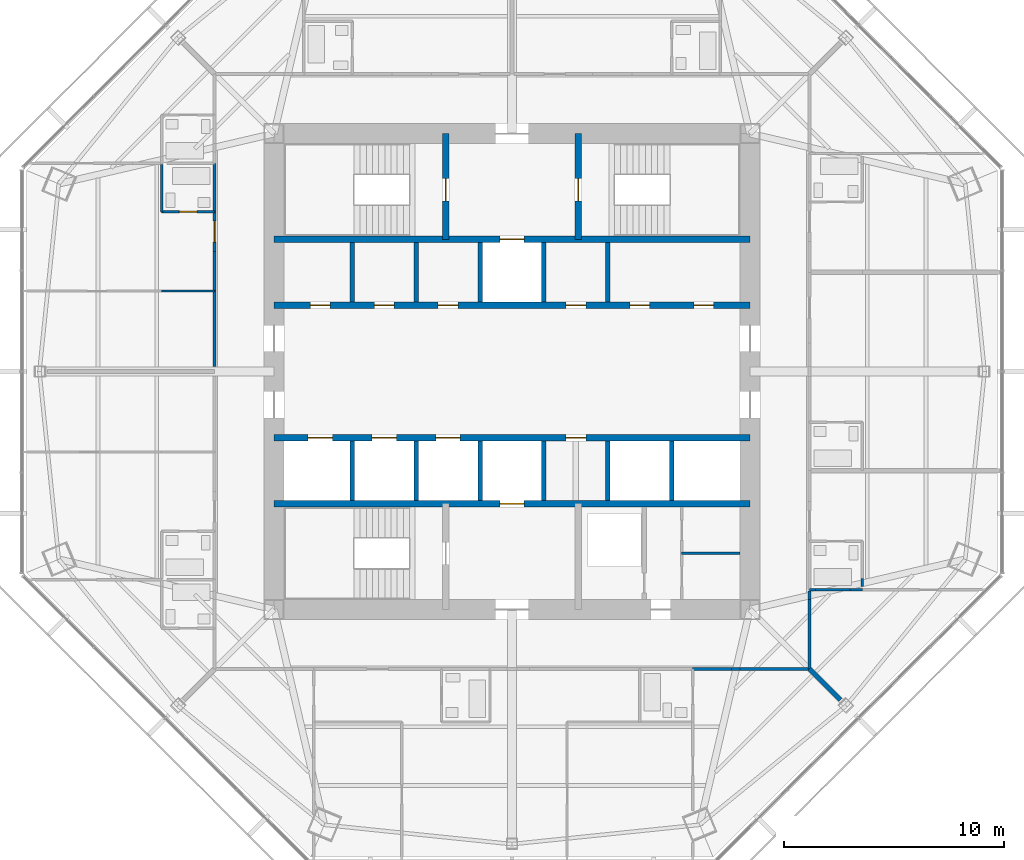
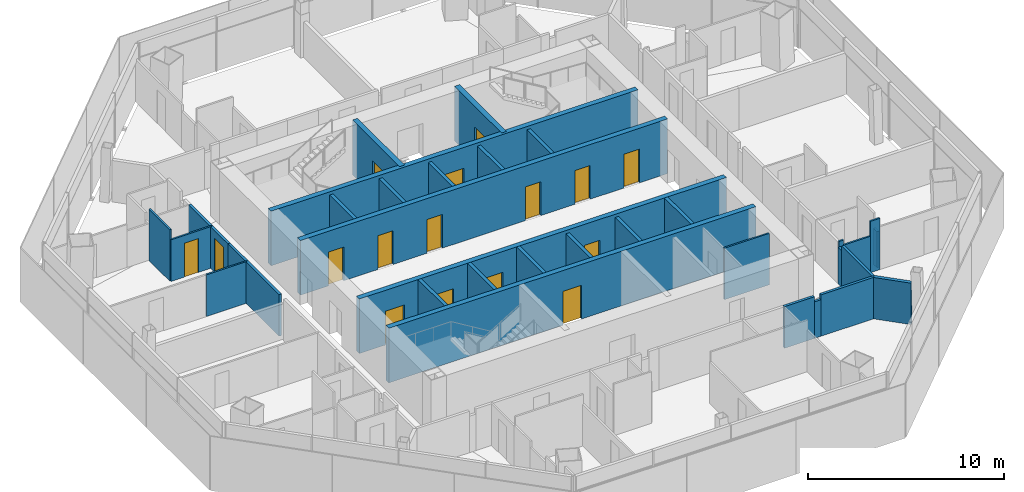
# One storey, part 10 of 15: 35 walls, 16 doors, 16 openings.
"""IFC4 building model written with IfcOpenShell, lengths in metres."""

from ifc_helpers import new_model, si_unit, direction, frame, frame_2d, origin, place, context, subcontext, project, spatial, rectangle, extrude, material, layer, layer_set, type_object, element, fill, save


model = new_model("IFC4")

# Units and contexts
model_context = context("Model", 3, precision=1e-05, world=origin(), true_north=direction((0.0, 1.0)))
body_context = subcontext(model_context, "Body", "Model", "MODEL_VIEW")
ifc_project = project(units=[si_unit("LENGTHUNIT", "METRE"), si_unit("AREAUNIT", "SQUARE_METRE"), si_unit("VOLUMEUNIT", "CUBIC_METRE"), si_unit("PLANEANGLEUNIT", "RADIAN"), si_unit("MASSUNIT", "GRAM", prefix="KILO")], contexts=[model_context])

# Site, building, storey
site_placement = place(None, origin())
site = spatial("IfcSite", under=ifc_project, at=site_placement, CompositionType="ELEMENT")
building_placement = place(site_placement, origin())
building = spatial("IfcBuilding", under=site, at=building_placement, Name="Mashrafa Tower", CompositionType="ELEMENT")
storey_placement = place(building_placement, frame((0.0, 0.0, 204.0)))
storey = spatial("IfcBuildingStorey", under=building, at=storey_placement, Name="L46", CompositionType="ELEMENT", Elevation=204.0)

# Wall
ifc_material_1 = material(Name="Gypsum board on steel studs", Category="steel")
ifc_layer_1 = layer(ifc_material_1, 0.199951171875)
ifc_layer_set_1 = layer_set([ifc_layer_1], Name="Acoustic partition 200 1 hr")
wall_type_1 = type_object("IfcWallType", Name="Acoustic partition 200 1 hr", PredefinedType="PARTITIONING", material=ifc_layer_set_1)
wall_1_placement = place(storey_placement, frame((13.5, -13.5, 0.0), z_axis=(0.0, 0.0, 1.0), x_axis=(0.707106781187, -0.707106781187, 0.0)))
element("IfcWall", 1, at=wall_1_placement, inside=storey, type_object=wall_type_1, Name="Acoustic wall L46-064", PredefinedType="PARTITIONING", context=body_context, shape_type="SweptSolid", body=[
    extrude(rectangle(XDim=1.986572265625, YDim=0.199951171875, at=frame_2d((0.9931640625, 0.0))), origin(), (0.0, 0.0, 1.0), 2.577880859375),
])

# Wall, openings, doors
ifc_material_2 = material(Name="Concrete C50/60", Category="concrete")
ifc_layer_2 = layer(ifc_material_2, 0.300048828125)
ifc_layer_set_2 = layer_set([ifc_layer_2], Name="Core wall 300 C50/60")
wall_type_2 = type_object("IfcWallType", Name="Core wall 300 C50/60", PredefinedType="SOLIDWALL", material=ifc_layer_set_2)
wall_2_placement = place(storey_placement, frame((-10.800048828125, 3.0, 0.0), z_axis=(0.0, 0.0, 1.0), x_axis=(1.0, 0.0, 0.0)))
wall_2 = element("IfcWall", 2, at=wall_2_placement, inside=storey, type_object=wall_type_2, Name="Core wall CH-N L46", PredefinedType="SOLIDWALL", context=body_context, shape_type="SweptSolid", body=[
    extrude(rectangle(XDim=21.60009765625, YDim=0.300048828125, at=frame_2d((10.800048828125, 0.0))), origin(), (0.0, 0.0, 1.0), 3.39990234375),
])
opening_1_placement = place(wall_2_placement, frame((1.64990234375, 0.0, 0.0)))
opening_1 = element("IfcOpeningElement", 3, at=opening_1_placement, cuts=wall_2, Name="Opening 46.045", PredefinedType="OPENING", context=body_context, shape_type="SweptSolid", body=[
    extrude(rectangle(XDim=0.89990234375, YDim=2.10009765625, at=frame_2d((0.449951171875, 1.050048828125))), frame((0.0, 0.159912109375, 0.0), z_axis=(0.0, -1.0, 0.0), x_axis=(1.0, 0.0, 0.0)), (0.0, 0.0, 1.0), 0.320068359375),
])
opening_2_placement = place(wall_2_placement, frame((7.449951171875, 0.0, 0.0)))
opening_2 = element("IfcOpeningElement", 4, at=opening_2_placement, cuts=wall_2, Name="Opening 46.046", PredefinedType="OPENING", context=body_context, shape_type="SweptSolid", body=[
    extrude(rectangle(XDim=0.89990234375, YDim=2.10009765625, at=frame_2d((0.449951171875, 1.050048828125))), frame((0.0, 0.159912109375, 0.0), z_axis=(0.0, -1.0, 0.0), x_axis=(1.0, 0.0, 0.0)), (0.0, 0.0, 1.0), 0.320068359375),
])
opening_3_placement = place(wall_2_placement, frame((13.25, 0.0, 0.0)))
opening_3 = element("IfcOpeningElement", 5, at=opening_3_placement, cuts=wall_2, Name="Opening 46.047", PredefinedType="OPENING", context=body_context, shape_type="SweptSolid", body=[
    extrude(rectangle(XDim=0.89990234375, YDim=2.10009765625, at=frame_2d((0.449951171875, 1.050048828125))), frame((0.0, 0.159912109375, 0.0), z_axis=(0.0, -1.0, 0.0), x_axis=(1.0, 0.0, 0.0)), (0.0, 0.0, 1.0), 0.320068359375),
])
opening_4_placement = place(wall_2_placement, frame((16.14990234375, 0.0, 0.0)))
opening_4 = element("IfcOpeningElement", 6, at=opening_4_placement, cuts=wall_2, Name="Opening 46.048", PredefinedType="OPENING", context=body_context, shape_type="SweptSolid", body=[
    extrude(rectangle(XDim=0.89990234375, YDim=2.10009765625, at=frame_2d((0.449951171875, 1.050048828125))), frame((0.0, 0.159912109375, 0.0), z_axis=(0.0, -1.0, 0.0), x_axis=(1.0, 0.0, 0.0)), (0.0, 0.0, 1.0), 0.320068359375),
])
opening_5_placement = place(wall_2_placement, frame((19.050048828125, 0.0, 0.0)))
opening_5 = element("IfcOpeningElement", 7, at=opening_5_placement, cuts=wall_2, Name="Opening 46.049", PredefinedType="OPENING", context=body_context, shape_type="SweptSolid", body=[
    extrude(rectangle(XDim=0.89990234375, YDim=2.10009765625, at=frame_2d((0.449951171875, 1.050048828125))), frame((0.0, 0.159912109375, 0.0), z_axis=(0.0, -1.0, 0.0), x_axis=(1.0, 0.0, 0.0)), (0.0, 0.0, 1.0), 0.320068359375),
])
opening_6_placement = place(wall_2_placement, frame((4.550048828125, 0.0, 0.0)))
opening_6 = element("IfcOpeningElement", 8, at=opening_6_placement, cuts=wall_2, Name="Opening 46.050", PredefinedType="OPENING", context=body_context, shape_type="SweptSolid", body=[
    extrude(rectangle(XDim=0.89990234375, YDim=2.10009765625, at=frame_2d((0.449951171875, 1.050048828125))), frame((0.0, 0.159912109375, 0.0), z_axis=(0.0, -1.0, 0.0), x_axis=(1.0, 0.0, 0.0)), (0.0, 0.0, 1.0), 0.320068359375),
])
ifc_material_3 = material(Name="Timber door", Category="wood")
door_type_1 = type_object("IfcDoorType", Name="Store door 900 x 2100", OperationType="USERDEFINED", PredefinedType="DOOR", material=ifc_material_3)
door_1_placement = place(opening_1_placement, origin())
door_1 = element("IfcDoor", 9, at=door_1_placement, inside=storey, type_object=door_type_1, Name="Refuse Chute Room L46 door", OperationType="SINGLE_SWING_RIGHT", OverallHeight=2.10009765625, OverallWidth=0.89990234375, PredefinedType="DOOR", context=body_context, shape_type="SweptSolid", body=[
    extrude(rectangle(XDim=0.89990234375, YDim=2.10009765625, at=frame_2d((0.449951171875, 1.050048828125))), frame((0.0, 0.02490234375, 0.0), z_axis=(0.0, -1.0, 0.0), x_axis=(1.0, 0.0, 0.0)), (0.0, 0.0, 1.0), 0.050048828125),
])
fill(opening_1, door_1)
door_2_placement = place(opening_2_placement, origin())
door_2 = element("IfcDoor", 10, at=door_2_placement, inside=storey, type_object=door_type_1, Name="Vending and Ice Room L46 door", OperationType="SINGLE_SWING_LEFT", OverallHeight=2.10009765625, OverallWidth=0.89990234375, PredefinedType="DOOR", context=body_context, shape_type="SweptSolid", body=[
    extrude(rectangle(XDim=0.89990234375, YDim=2.10009765625, at=frame_2d((0.449951171875, 1.050048828125))), frame((0.0, 0.02490234375, 0.0), z_axis=(0.0, -1.0, 0.0), x_axis=(1.0, 0.0, 0.0)), (0.0, 0.0, 1.0), 0.050048828125),
])
fill(opening_2, door_2)
door_3_placement = place(opening_3_placement, origin())
door_3 = element("IfcDoor", 11, at=door_3_placement, inside=storey, type_object=door_type_1, Name="Cleaner's Store L46 door", OperationType="SINGLE_SWING_LEFT", OverallHeight=2.10009765625, OverallWidth=0.89990234375, PredefinedType="DOOR", context=body_context, shape_type="SweptSolid", body=[
    extrude(rectangle(XDim=0.89990234375, YDim=2.10009765625, at=frame_2d((0.449951171875, 1.050048828125))), frame((0.0, 0.02490234375, 0.0), z_axis=(0.0, -1.0, 0.0), x_axis=(1.0, 0.0, 0.0)), (0.0, 0.0, 1.0), 0.050048828125),
])
fill(opening_3, door_3)
door_4_placement = place(opening_4_placement, origin())
door_4 = element("IfcDoor", 12, at=door_4_placement, inside=storey, type_object=door_type_1, Name="Parcel Room L46 door", OperationType="SINGLE_SWING_LEFT", OverallHeight=2.10009765625, OverallWidth=0.89990234375, PredefinedType="DOOR", context=body_context, shape_type="SweptSolid", body=[
    extrude(rectangle(XDim=0.89990234375, YDim=2.10009765625, at=frame_2d((0.449951171875, 1.050048828125))), frame((0.0, 0.02490234375, 0.0), z_axis=(0.0, -1.0, 0.0), x_axis=(1.0, 0.0, 0.0)), (0.0, 0.0, 1.0), 0.050048828125),
])
fill(opening_4, door_4)
door_5_placement = place(opening_5_placement, origin())
door_5 = element("IfcDoor", 13, at=door_5_placement, inside=storey, type_object=door_type_1, Name="Parcel Room L46 door", OperationType="SINGLE_SWING_RIGHT", OverallHeight=2.10009765625, OverallWidth=0.89990234375, PredefinedType="DOOR", context=body_context, shape_type="SweptSolid", body=[
    extrude(rectangle(XDim=0.89990234375, YDim=2.10009765625, at=frame_2d((0.449951171875, 1.050048828125))), frame((0.0, 0.02490234375, 0.0), z_axis=(0.0, -1.0, 0.0), x_axis=(1.0, 0.0, 0.0)), (0.0, 0.0, 1.0), 0.050048828125),
])
fill(opening_5, door_5)
door_6_placement = place(opening_6_placement, origin())
door_6 = element("IfcDoor", 14, at=door_6_placement, inside=storey, type_object=door_type_1, Name="Residents' Store L46-A2 door", OperationType="SINGLE_SWING_LEFT", OverallHeight=2.10009765625, OverallWidth=0.89990234375, PredefinedType="DOOR", context=body_context, shape_type="SweptSolid", body=[
    extrude(rectangle(XDim=0.89990234375, YDim=2.10009765625, at=frame_2d((0.449951171875, 1.050048828125))), frame((0.0, 0.02490234375, 0.0), z_axis=(0.0, -1.0, 0.0), x_axis=(1.0, 0.0, 0.0)), (0.0, 0.0, 1.0), 0.050048828125),
])
fill(opening_6, door_6)

# Wall, opening, door
wall_3_placement = place(storey_placement, frame((-10.800048828125, 6.0, 0.0), z_axis=(0.0, 0.0, 1.0), x_axis=(1.0, 0.0, 0.0)))
wall_3 = element("IfcWall", 15, at=wall_3_placement, inside=storey, type_object=wall_type_2, Name="Core wall CB-N L46", PredefinedType="SOLIDWALL", context=body_context, shape_type="SweptSolid", body=[
    extrude(rectangle(XDim=21.60009765625, YDim=0.300048828125, at=frame_2d((10.800048828125, 0.0))), origin(), (0.0, 0.0, 1.0), 3.39990234375),
])
opening_7_placement = place(wall_3_placement, frame((10.25, 0.0, 0.0)))
opening_7 = element("IfcOpeningElement", 16, at=opening_7_placement, cuts=wall_3, Name="Opening 46.F1", PredefinedType="OPENING", context=body_context, shape_type="SweptSolid", body=[
    extrude(rectangle(XDim=1.10009765625, YDim=2.10009765625, at=frame_2d((0.550048828125, 1.050048828125))), frame((0.0, 0.159912109375, 0.0), z_axis=(0.0, -1.0, 0.0), x_axis=(1.0, 0.0, 0.0)), (0.0, 0.0, 1.0), 0.320068359375),
])
ifc_material_4 = material(Name="Steel door", Category="steel")
door_type_2 = type_object("IfcDoorType", Name="Lift landing door 1100 x 2100 90 min", OperationType="DOUBLE_DOOR_SLIDING", PredefinedType="DOOR", material=ifc_material_4)
door_7_placement = place(opening_7_placement, origin())
door_7 = element("IfcDoor", 17, at=door_7_placement, inside=storey, type_object=door_type_2, Name="Lift landing door F1 L46", OperationType="DOUBLE_DOOR_SLIDING", OverallHeight=2.10009765625, OverallWidth=1.10009765625, PredefinedType="DOOR", context=body_context, shape_type="SweptSolid", body=[
    extrude(rectangle(XDim=1.10009765625, YDim=2.10009765625, at=frame_2d((0.550048828125, 1.050048828125))), frame((0.0, 0.02490234375, 0.0), z_axis=(0.0, -1.0, 0.0), x_axis=(1.0, 0.0, 0.0)), (0.0, 0.0, 1.0), 0.050048828125),
])
fill(opening_7, door_7)

wall_4_placement = place(storey_placement, frame((-3.0, 6.0, 0.0), z_axis=(0.0, 0.0, 1.0), x_axis=(0.0, 1.0, 0.0)))
wall_4 = element("IfcWall", 18, at=wall_4_placement, inside=storey, type_object=wall_type_2, Name="Core wall CX-NW L46", PredefinedType="SOLIDWALL", context=body_context, shape_type="SweptSolid", body=[
    extrude(rectangle(XDim=4.800048828125, YDim=0.300048828125, at=frame_2d((2.39990234375, 0.0))), origin(), (0.0, 0.0, 1.0), 3.39990234375),
])
opening_8_placement = place(wall_4_placement, frame((1.75, 0.0, 0.0)))
opening_8 = element("IfcOpeningElement", 19, at=opening_8_placement, cuts=wall_4, Name="Opening 46.038", PredefinedType="OPENING", context=body_context, shape_type="SweptSolid", body=[
    extrude(rectangle(XDim=1.0, YDim=2.10009765625, at=frame_2d((0.5, 1.050048828125))), frame((0.0, 0.159912109375, 0.0), z_axis=(0.0, -1.0, 0.0), x_axis=(1.0, 0.0, 0.0)), (0.0, 0.0, 1.0), 0.320068359375),
])
ifc_material_5 = material(Name="Steel door", Category="steel")
door_type_3 = type_object("IfcDoorType", Name="Stair door 1000 x 2100 90 min", OperationType="USERDEFINED", PredefinedType="DOOR", material=ifc_material_5)
door_8_placement = place(opening_8_placement, origin())
door_8 = element("IfcDoor", 20, at=door_8_placement, inside=storey, type_object=door_type_3, Name="Stair S1 door L46", OperationType="SINGLE_SWING_LEFT", OverallHeight=2.10009765625, OverallWidth=1.0, PredefinedType="DOOR", context=body_context, shape_type="SweptSolid", body=[
    extrude(rectangle(XDim=1.0, YDim=2.10009765625, at=frame_2d((0.5, 1.050048828125))), frame((0.0, 0.02490234375, 0.0), z_axis=(0.0, -1.0, 0.0), x_axis=(1.0, 0.0, 0.0)), (0.0, 0.0, 1.0), 0.050048828125),
])
fill(opening_8, door_8)

wall_5_placement = place(storey_placement, frame((3.0, 6.0, 0.0), z_axis=(0.0, 0.0, 1.0), x_axis=(0.0, 1.0, 0.0)))
wall_5 = element("IfcWall", 21, at=wall_5_placement, inside=storey, type_object=wall_type_2, Name="Core wall CX-NE L46", PredefinedType="SOLIDWALL", context=body_context, shape_type="SweptSolid", body=[
    extrude(rectangle(XDim=4.800048828125, YDim=0.300048828125, at=frame_2d((2.39990234375, 0.0))), origin(), (0.0, 0.0, 1.0), 3.39990234375),
])
opening_9_placement = place(wall_5_placement, frame((1.75, 0.0, 0.0)))
opening_9 = element("IfcOpeningElement", 22, at=opening_9_placement, cuts=wall_5, Name="Opening 46.039", PredefinedType="OPENING", context=body_context, shape_type="SweptSolid", body=[
    extrude(rectangle(XDim=1.0, YDim=2.10009765625, at=frame_2d((0.5, 1.050048828125))), frame((0.0, 0.159912109375, 0.0), z_axis=(0.0, -1.0, 0.0), x_axis=(1.0, 0.0, 0.0)), (0.0, 0.0, 1.0), 0.320068359375),
])
door_9_placement = place(opening_9_placement, frame((1.0, 0.0, 0.0), z_axis=(0.0, 0.0, 1.0), x_axis=(-1.0, 0.0, 0.0)))
door_9 = element("IfcDoor", 23, at=door_9_placement, inside=storey, type_object=door_type_3, Name="Stair S2 door L46", OperationType="SINGLE_SWING_RIGHT", OverallHeight=2.10009765625, OverallWidth=1.0, PredefinedType="DOOR", context=body_context, shape_type="SweptSolid", body=[
    extrude(rectangle(XDim=1.0, YDim=2.10009765625, at=frame_2d((0.5, 1.050048828125))), frame((0.0, 0.02490234375, 0.0), z_axis=(0.0, -1.0, 0.0), x_axis=(1.0, 0.0, 0.0)), (0.0, 0.0, 1.0), 0.050048828125),
])
fill(opening_9, door_9)

# Wall, openings, doors
wall_6_placement = place(storey_placement, frame((-10.800048828125, -3.0, 0.0), z_axis=(0.0, 0.0, 1.0), x_axis=(1.0, 0.0, 0.0)))
wall_6 = element("IfcWall", 24, at=wall_6_placement, inside=storey, type_object=wall_type_2, Name="Core wall CH-S L46", PredefinedType="SOLIDWALL", context=body_context, shape_type="SweptSolid", body=[
    extrude(rectangle(XDim=21.60009765625, YDim=0.300048828125, at=frame_2d((10.800048828125, 0.0))), origin(), (0.0, 0.0, 1.0), 3.39990234375),
])
opening_10_placement = place(wall_6_placement, frame((13.25, 0.0, 0.0)))
opening_10 = element("IfcOpeningElement", 25, at=opening_10_placement, cuts=wall_6, Name="Opening 46.051", PredefinedType="OPENING", context=body_context, shape_type="SweptSolid", body=[
    extrude(rectangle(XDim=0.89990234375, YDim=2.10009765625, at=frame_2d((0.449951171875, 1.050048828125))), frame((0.0, 0.159912109375, 0.0), z_axis=(0.0, -1.0, 0.0), x_axis=(1.0, 0.0, 0.0)), (0.0, 0.0, 1.0), 0.320068359375),
])
opening_11_placement = place(wall_6_placement, frame((1.550048828125, 0.0, 0.0)))
opening_11 = element("IfcOpeningElement", 26, at=opening_11_placement, cuts=wall_6, Name="Opening 46.AL1", PredefinedType="OPENING", context=body_context, shape_type="SweptSolid", body=[
    extrude(rectangle(XDim=1.10009765625, YDim=2.10009765625, at=frame_2d((0.550048828125, 1.050048828125))), frame((0.0, 0.159912109375, 0.0), z_axis=(0.0, -1.0, 0.0), x_axis=(1.0, 0.0, 0.0)), (0.0, 0.0, 1.0), 0.320068359375),
])
opening_12_placement = place(wall_6_placement, frame((4.449951171875, 0.0, 0.0)))
opening_12 = element("IfcOpeningElement", 27, at=opening_12_placement, cuts=wall_6, Name="Opening 46.AL2", PredefinedType="OPENING", context=body_context, shape_type="SweptSolid", body=[
    extrude(rectangle(XDim=1.10009765625, YDim=2.10009765625, at=frame_2d((0.550048828125, 1.050048828125))), frame((0.0, 0.159912109375, 0.0), z_axis=(0.0, -1.0, 0.0), x_axis=(1.0, 0.0, 0.0)), (0.0, 0.0, 1.0), 0.320068359375),
])
opening_13_placement = place(wall_6_placement, frame((7.35009765625, 0.0, 0.0)))
opening_13 = element("IfcOpeningElement", 28, at=opening_13_placement, cuts=wall_6, Name="Opening 46.AL3", PredefinedType="OPENING", context=body_context, shape_type="SweptSolid", body=[
    extrude(rectangle(XDim=1.10009765625, YDim=2.10009765625, at=frame_2d((0.550048828125, 1.050048828125))), frame((0.0, 0.159912109375, 0.0), z_axis=(0.0, -1.0, 0.0), x_axis=(1.0, 0.0, 0.0)), (0.0, 0.0, 1.0), 0.320068359375),
])
door_10_placement = place(opening_11_placement, origin())
door_10 = element("IfcDoor", 29, at=door_10_placement, inside=storey, type_object=door_type_2, Name="Lift landing door AL1 L46", OperationType="DOUBLE_DOOR_SLIDING", OverallHeight=2.10009765625, OverallWidth=1.10009765625, PredefinedType="DOOR", context=body_context, shape_type="SweptSolid", body=[
    extrude(rectangle(XDim=1.10009765625, YDim=2.10009765625, at=frame_2d((0.550048828125, 1.050048828125))), frame((0.0, 0.02490234375, 0.0), z_axis=(0.0, -1.0, 0.0), x_axis=(1.0, 0.0, 0.0)), (0.0, 0.0, 1.0), 0.050048828125),
])
fill(opening_11, door_10)
door_11_placement = place(opening_12_placement, origin())
door_11 = element("IfcDoor", 30, at=door_11_placement, inside=storey, type_object=door_type_2, Name="Lift landing door AL2 L46", OperationType="DOUBLE_DOOR_SLIDING", OverallHeight=2.10009765625, OverallWidth=1.10009765625, PredefinedType="DOOR", context=body_context, shape_type="SweptSolid", body=[
    extrude(rectangle(XDim=1.10009765625, YDim=2.10009765625, at=frame_2d((0.550048828125, 1.050048828125))), frame((0.0, 0.02490234375, 0.0), z_axis=(0.0, -1.0, 0.0), x_axis=(1.0, 0.0, 0.0)), (0.0, 0.0, 1.0), 0.050048828125),
])
fill(opening_12, door_11)
door_12_placement = place(opening_13_placement, origin())
door_12 = element("IfcDoor", 31, at=door_12_placement, inside=storey, type_object=door_type_2, Name="Lift landing door AL3 L46", OperationType="DOUBLE_DOOR_SLIDING", OverallHeight=2.10009765625, OverallWidth=1.10009765625, PredefinedType="DOOR", context=body_context, shape_type="SweptSolid", body=[
    extrude(rectangle(XDim=1.10009765625, YDim=2.10009765625, at=frame_2d((0.550048828125, 1.050048828125))), frame((0.0, 0.02490234375, 0.0), z_axis=(0.0, -1.0, 0.0), x_axis=(1.0, 0.0, 0.0)), (0.0, 0.0, 1.0), 0.050048828125),
])
fill(opening_13, door_12)
door_13_placement = place(opening_10_placement, frame((0.89990234375, 0.0, 0.0), z_axis=(0.0, 0.0, 1.0), x_axis=(-1.0, 0.0, 0.0)))
door_13 = element("IfcDoor", 32, at=door_13_placement, inside=storey, type_object=door_type_1, Name="Residents' Store L46-B4 door", OperationType="SINGLE_SWING_RIGHT", OverallHeight=2.10009765625, OverallWidth=0.89990234375, PredefinedType="DOOR", context=body_context, shape_type="SweptSolid", body=[
    extrude(rectangle(XDim=0.89990234375, YDim=2.10009765625, at=frame_2d((0.449951171875, 1.050048828125))), frame((0.0, 0.02490234375, 0.0), z_axis=(0.0, -1.0, 0.0), x_axis=(1.0, 0.0, 0.0)), (0.0, 0.0, 1.0), 0.050048828125),
])
fill(opening_10, door_13)

# Wall, opening, door
wall_7_placement = place(storey_placement, frame((-10.800048828125, -6.0, 0.0), z_axis=(0.0, 0.0, 1.0), x_axis=(1.0, 0.0, 0.0)))
wall_7 = element("IfcWall", 33, at=wall_7_placement, inside=storey, type_object=wall_type_2, Name="Core wall CB-S L46", PredefinedType="SOLIDWALL", context=body_context, shape_type="SweptSolid", body=[
    extrude(rectangle(XDim=21.60009765625, YDim=0.300048828125, at=frame_2d((10.800048828125, 0.0))), origin(), (0.0, 0.0, 1.0), 3.39990234375),
])
opening_14_placement = place(wall_7_placement, frame((10.25, 0.0, 0.0)))
opening_14 = element("IfcOpeningElement", 34, at=opening_14_placement, cuts=wall_7, Name="Opening 46.F2", PredefinedType="OPENING", context=body_context, shape_type="SweptSolid", body=[
    extrude(rectangle(XDim=1.10009765625, YDim=2.10009765625, at=frame_2d((0.550048828125, 1.050048828125))), frame((0.0, 0.159912109375, 0.0), z_axis=(0.0, -1.0, 0.0), x_axis=(1.0, 0.0, 0.0)), (0.0, 0.0, 1.0), 0.320068359375),
])
door_14_placement = place(opening_14_placement, origin())
door_14 = element("IfcDoor", 35, at=door_14_placement, inside=storey, type_object=door_type_2, Name="Lift landing door F2 L46", OperationType="DOUBLE_DOOR_SLIDING", OverallHeight=2.10009765625, OverallWidth=1.10009765625, PredefinedType="DOOR", context=body_context, shape_type="SweptSolid", body=[
    extrude(rectangle(XDim=1.10009765625, YDim=2.10009765625, at=frame_2d((0.550048828125, 1.050048828125))), frame((0.0, 0.02490234375, 0.0), z_axis=(0.0, -1.0, 0.0), x_axis=(1.0, 0.0, 0.0)), (0.0, 0.0, 1.0), 0.050048828125),
])
fill(opening_14, door_14)

# Walls
ifc_material_6 = material(Name="Gypsum board on steel studs", Category="steel")
ifc_layer_3 = layer(ifc_material_6, 0.14990234375)
ifc_layer_set_3 = layer_set([ifc_layer_3], Name="Corridor partition 150 1 hr")
wall_type_3 = type_object("IfcWallType", Name="Corridor partition 150 1 hr", PredefinedType="PARTITIONING", material=ifc_layer_set_3)
wall_8_placement = place(storey_placement, frame((13.5, -13.5, 0.0), z_axis=(0.0, 0.0, 1.0), x_axis=(0.0, 1.0, 0.0)))
element("IfcWall", 36, at=wall_8_placement, inside=storey, type_object=wall_type_3, Name="Corridor wall L46-001", PredefinedType="PARTITIONING", context=body_context, shape_type="SweptSolid", body=[
    extrude(rectangle(XDim=3.15966796875, YDim=0.14990234375, at=frame_2d((1.579833984375, 0.0))), origin(), (0.0, 0.0, 1.0), 2.577880859375),
])
wall_9_placement = place(storey_placement, frame((13.5, -10.34033203125, 0.0), z_axis=(0.0, 0.0, 1.0), x_axis=(0.0, 1.0, 0.0)))
element("IfcWall", 37, at=wall_9_placement, inside=storey, type_object=wall_type_3, Name="Corridor wall L46-002", PredefinedType="PARTITIONING", context=body_context, shape_type="SweptSolid", body=[
    extrude(rectangle(XDim=0.375, YDim=0.14990234375, at=frame_2d((0.1875, 0.0))), origin(), (0.0, 0.0, 1.0), 2.26806640625),
])
wall_10_placement = place(storey_placement, frame((-13.5, 9.450927734375, 0.0), z_axis=(0.0, 0.0, 1.0), x_axis=(0.0, -1.0, 0.0)))
element("IfcWall", 38, at=wall_10_placement, inside=storey, type_object=wall_type_3, Name="Corridor wall L46-035", PredefinedType="PARTITIONING", context=body_context, shape_type="SweptSolid", body=[
    extrude(rectangle(XDim=2.201904296875, YDim=0.14990234375, at=frame_2d((1.10107421875, 0.0))), origin(), (0.0, 0.0, 1.0), 2.590576171875),
])
wall_11_placement = place(storey_placement, frame((-13.5, 5.450927734375, 0.0), z_axis=(0.0, 0.0, 1.0), x_axis=(0.0, -1.0, 0.0)))
element("IfcWall", 39, at=wall_11_placement, inside=storey, type_object=wall_type_3, Name="Corridor wall L46-036", PredefinedType="PARTITIONING", context=body_context, shape_type="SweptSolid", body=[
    extrude(rectangle(XDim=1.802001953125, YDim=0.14990234375, at=frame_2d((0.90087890625, 0.0))), origin(), (0.0, 0.0, 1.0), 2.590576171875),
])
wall_12_placement = place(storey_placement, frame((-13.5, 3.65087890625, 0.0), z_axis=(0.0, 0.0, 1.0), x_axis=(0.0, -1.0, 0.0)))
element("IfcWall", 40, at=wall_12_placement, inside=storey, type_object=wall_type_3, Name="Corridor wall L46-037", PredefinedType="PARTITIONING", context=body_context, shape_type="SweptSolid", body=[
    extrude(rectangle(XDim=3.420166015625, YDim=0.14990234375, at=frame_2d((1.7099609375, 0.0))), origin(), (0.0, 0.0, 1.0), 2.590576171875),
])

# Wall, opening, door
wall_13_placement = place(storey_placement, frame((-13.5, 7.2509765625, 0.0), z_axis=(0.0, 0.0, 1.0), x_axis=(0.0, -1.0, 0.0)))
wall_13 = element("IfcWall", 41, at=wall_13_placement, inside=storey, type_object=wall_type_3, Name="Corridor wall L46-038", PredefinedType="PARTITIONING", context=body_context, shape_type="SweptSolid", body=[
    extrude(rectangle(XDim=1.802001953125, YDim=0.14990234375, at=frame_2d((0.90087890625, 0.0))), origin(), (0.0, 0.0, 1.0), 2.590576171875),
])
opening_15_placement = place(wall_13_placement, frame((0.426025390625, 0.0, 0.0)))
opening_15 = element("IfcOpeningElement", 42, at=opening_15_placement, cuts=wall_13, Name="Opening 46.019", PredefinedType="OPENING", context=body_context, shape_type="SweptSolid", body=[
    extrude(rectangle(XDim=0.949951171875, YDim=2.10009765625, at=frame_2d((0.47509765625, 1.050048828125))), frame((0.0, 0.0849609375, 0.0), z_axis=(0.0, -1.0, 0.0), x_axis=(1.0, 0.0, 0.0)), (0.0, 0.0, 1.0), 0.169921875),
])
ifc_material_7 = material(Name="Steel door", Category="steel")
door_type_4 = type_object("IfcDoorType", Name="Residence entrance door 950 x 2100 20 min", OperationType="USERDEFINED", PredefinedType="DOOR", material=ifc_material_7)
door_15_placement = place(opening_15_placement, frame((0.949951171875, 0.0, 0.0), z_axis=(0.0, 0.0, 1.0), x_axis=(-1.0, 0.0, 0.0)))
door_15 = element("IfcDoor", 43, at=door_15_placement, inside=storey, type_object=door_type_4, Name="Apartment 4606 Living Room door", OperationType="SINGLE_SWING_LEFT", OverallHeight=2.10009765625, OverallWidth=0.949951171875, PredefinedType="DOOR", context=body_context, shape_type="SweptSolid", body=[
    extrude(rectangle(XDim=0.949951171875, YDim=2.10009765625, at=frame_2d((0.47509765625, 1.050048828125))), frame((0.0, 0.02490234375, 0.0), z_axis=(0.0, -1.0, 0.0), x_axis=(1.0, 0.0, 0.0)), (0.0, 0.0, 1.0), 0.050048828125),
])
fill(opening_15, door_15)

# Walls
wall_14_placement = place(storey_placement, frame((8.198974609375, -13.5, 0.0), z_axis=(0.0, 0.0, 1.0), x_axis=(1.0, 0.0, 0.0)))
element("IfcWall", 44, at=wall_14_placement, inside=storey, type_object=wall_type_3, Name="Corridor wall L46-055", PredefinedType="PARTITIONING", context=body_context, shape_type="SweptSolid", body=[
    extrude(rectangle(XDim=1.766357421875, YDim=0.14990234375, at=frame_2d((0.88330078125, 0.0))), origin(), (0.0, 0.0, 1.0), 2.590576171875),
])
wall_15_placement = place(storey_placement, frame((10.34033203125, -13.5, 0.0), z_axis=(0.0, 0.0, 1.0), x_axis=(1.0, 0.0, 0.0)))
element("IfcWall", 45, at=wall_15_placement, inside=storey, type_object=wall_type_3, Name="Corridor wall L46-056", PredefinedType="PARTITIONING", context=body_context, shape_type="SweptSolid", body=[
    extrude(rectangle(XDim=3.15966796875, YDim=0.14990234375, at=frame_2d((1.579833984375, 0.0))), origin(), (0.0, 0.0, 1.0), 2.577880859375),
])
wall_16_placement = place(storey_placement, frame((9.96533203125, -13.5, 0.0), z_axis=(0.0, 0.0, 1.0), x_axis=(1.0, 0.0, 0.0)))
element("IfcWall", 46, at=wall_16_placement, inside=storey, type_object=wall_type_3, Name="Corridor wall L46-057", PredefinedType="PARTITIONING", context=body_context, shape_type="SweptSolid", body=[
    extrude(rectangle(XDim=0.375, YDim=0.14990234375, at=frame_2d((0.1875, 0.0))), origin(), (0.0, 0.0, 1.0), 2.26806640625),
])
ifc_material_8 = material(Name="Gypsum board on steel studs", Category="steel")
ifc_layer_4 = layer(ifc_material_8, 0.10009765625)
ifc_layer_set_4 = layer_set([ifc_layer_4], Name="Partition 100")
wall_type_4 = type_object("IfcWallType", Name="Partition 100", PredefinedType="PARTITIONING", material=ifc_layer_set_4)
wall_17_placement = place(storey_placement, frame((15.90087890625, -9.89990234375, 0.0), z_axis=(0.0, 0.0, 1.0), x_axis=(-1.0, 0.0, 0.0)))
element("IfcWall", 47, at=wall_17_placement, inside=storey, type_object=wall_type_4, Name="Partition wall L46-060", PredefinedType="PARTITIONING", context=body_context, shape_type="SweptSolid", body=[
    extrude(rectangle(XDim=0.563232421875, YDim=0.10009765625, at=frame_2d((0.28173828125, 0.0))), origin(), (0.0, 0.0, 1.0), 3.199951171875),
])
wall_18_placement = place(storey_placement, frame((13.7724609375, -9.89990234375, 0.0), z_axis=(0.0, 0.0, 1.0), x_axis=(-1.0, 0.0, 0.0)))
element("IfcWall", 48, at=wall_18_placement, inside=storey, type_object=wall_type_4, Name="Partition wall L46-061", PredefinedType="PARTITIONING", context=body_context, shape_type="SweptSolid", body=[
    extrude(rectangle(XDim=0.2724609375, YDim=0.10009765625, at=frame_2d((0.13623046875, 0.0))), origin(), (0.0, 0.0, 1.0), 2.590576171875),
])
wall_19_placement = place(storey_placement, frame((15.337646484375, -9.89990234375, 0.0), z_axis=(0.0, 0.0, 1.0), x_axis=(-1.0, 0.0, 0.0)))
element("IfcWall", 49, at=wall_19_placement, inside=storey, type_object=wall_type_4, Name="Partition wall L46-062", PredefinedType="PARTITIONING", context=body_context, shape_type="SweptSolid", body=[
    extrude(rectangle(XDim=1.565185546875, YDim=0.10009765625, at=frame_2d((0.78271484375, 0.0))), origin(), (0.0, 0.0, 1.0), 2.26806640625),
])
wall_20_placement = place(storey_placement, frame((15.89990234375, -9.76513671875, 0.0), z_axis=(0.0, 0.0, 1.0), x_axis=(0.0, 1.0, 0.0)))
element("IfcWall", 50, at=wall_20_placement, inside=storey, type_object=wall_type_4, Name="Partition wall L46-066", PredefinedType="PARTITIONING", context=body_context, shape_type="SweptSolid", body=[
    extrude(rectangle(XDim=0.375, YDim=0.10009765625, at=frame_2d((0.1875, 0.0))), origin(), (0.0, 0.0, 1.0), 2.26806640625),
])
wall_21_placement = place(storey_placement, frame((-15.89990234375, 9.39013671875, 0.0), z_axis=(0.0, 0.0, 1.0), x_axis=(0.0, -1.0, 0.0)))
element("IfcWall", 51, at=wall_21_placement, inside=storey, type_object=wall_type_4, Name="Partition wall L46-102", PredefinedType="PARTITIONING", context=body_context, shape_type="SweptSolid", body=[
    extrude(rectangle(XDim=2.14013671875, YDim=0.10009765625, at=frame_2d((1.070068359375, 0.0))), origin(), (0.0, 0.0, 1.0), 3.199951171875),
])

# Wall, opening, door
wall_22_placement = place(storey_placement, frame((-15.89990234375, 7.25, 0.0), z_axis=(0.0, 0.0, 1.0), x_axis=(1.0, 0.0, 0.0)))
wall_22 = element("IfcWall", 52, at=wall_22_placement, inside=storey, type_object=wall_type_4, Name="Partition wall L46-103", PredefinedType="PARTITIONING", context=body_context, shape_type="SweptSolid", body=[
    extrude(rectangle(XDim=2.39990234375, YDim=0.10009765625, at=frame_2d((1.199951171875, 0.0))), origin(), (0.0, 0.0, 1.0), 2.590576171875),
])
opening_16_placement = place(wall_22_placement, frame((0.800048828125, 0.0, 0.0)))
opening_16 = element("IfcOpeningElement", 53, at=opening_16_placement, cuts=wall_22, Name="Opening 46.017", PredefinedType="OPENING", context=body_context, shape_type="SweptSolid", body=[
    extrude(rectangle(XDim=0.800048828125, YDim=2.10009765625, at=frame_2d((0.39990234375, 1.050048828125))), frame((0.0, 0.06005859375, 0.0), z_axis=(0.0, -1.0, 0.0), x_axis=(1.0, 0.0, 0.0)), (0.0, 0.0, 1.0), 0.1201171875),
])
ifc_material_9 = material(Name="Timber door", Category="wood")
door_type_5 = type_object("IfcDoorType", Name="Bathroom door 800 x 2100", OperationType="USERDEFINED", PredefinedType="DOOR", material=ifc_material_9)
door_16_placement = place(opening_16_placement, origin())
door_16 = element("IfcDoor", 54, at=door_16_placement, inside=storey, type_object=door_type_5, Name="Apartment 4606 Bathroom door", OperationType="SINGLE_SWING_LEFT", OverallHeight=2.10009765625, OverallWidth=0.800048828125, PredefinedType="DOOR", context=body_context, shape_type="SweptSolid", body=[
    extrude(rectangle(XDim=0.800048828125, YDim=2.10009765625, at=frame_2d((0.39990234375, 1.050048828125))), frame((0.0, 0.02490234375, 0.0), z_axis=(0.0, -1.0, 0.0), x_axis=(1.0, 0.0, 0.0)), (0.0, 0.0, 1.0), 0.050048828125),
])
fill(opening_16, door_16)

# Walls
wall_23_placement = place(storey_placement, frame((-15.89990234375, 3.64990234375, 0.0), z_axis=(0.0, 0.0, 1.0), x_axis=(1.0, 0.0, 0.0)))
element("IfcWall", 55, at=wall_23_placement, inside=storey, type_object=wall_type_4, Name="Partition wall L46-104", PredefinedType="PARTITIONING", context=body_context, shape_type="SweptSolid", body=[
    extrude(rectangle(XDim=2.39990234375, YDim=0.10009765625, at=frame_2d((1.199951171875, 0.0))), origin(), (0.0, 0.0, 1.0), 2.590576171875),
])
ifc_material_10 = material(Name="Gypsum board on steel studs", Category="steel")
ifc_layer_5 = layer(ifc_material_10, 0.10009765625)
ifc_layer_set_5 = layer_set([ifc_layer_5], Name="Partition 100 1 hr")
wall_type_5 = type_object("IfcWallType", Name="Partition 100 1 hr", PredefinedType="PARTITIONING", material=ifc_layer_set_5)
wall_24_placement = place(storey_placement, frame((7.699951171875, -8.25, 0.0), z_axis=(0.0, 0.0, 1.0), x_axis=(1.0, 0.0, 0.0)))
element("IfcWall", 56, at=wall_24_placement, inside=storey, type_object=wall_type_5, Name="Services lobby partition B L46", PredefinedType="PARTITIONING", context=body_context, shape_type="SweptSolid", body=[
    extrude(rectangle(XDim=2.650146484375, YDim=0.10009765625, at=frame_2d((1.3251953125, 0.0))), origin(), (0.0, 0.0, 1.0), 3.199951171875),
])
ifc_material_11 = material(Name="Gypsum shaft wall on steel studs", Category="steel")
ifc_layer_6 = layer(ifc_material_11, 0.199951171875)
ifc_layer_set_6 = layer_set([ifc_layer_6], Name="Shaft divider wall 200 2 hr")
wall_type_6 = type_object("IfcWallType", Name="Shaft divider wall 200 2 hr", PredefinedType="PARTITIONING", material=ifc_layer_set_6)
for number, where, z_axis, x_axis, name in (
    (57, (-7.25, 3.14990234375, 0.0), (0.0, 0.0, 1.0), (0.0, 1.0, 0.0), "Shaft divider wall N1 L46"),
    (58, (-4.35009765625, 3.14990234375, 0.0), (0.0, 0.0, 1.0), (0.0, 1.0, 0.0), "Shaft divider wall N2 L46"),
    (59, (-1.449951171875, 3.14990234375, 0.0), (0.0, 0.0, 1.0), (0.0, 1.0, 0.0), "Shaft divider wall N3 L46"),
    (60, (1.449951171875, 3.14990234375, 0.0), (0.0, 0.0, 1.0), (0.0, 1.0, 0.0), "Shaft divider wall N4 L46"),
    (61, (4.35009765625, 3.14990234375, 0.0), (0.0, 0.0, 1.0), (0.0, 1.0, 0.0), "Shaft divider wall N5 L46"),
):
    element("IfcWall", number, at=place(storey_placement, frame(where, z_axis=z_axis, x_axis=x_axis)), inside=storey, type_object=wall_type_6, Name=name, PredefinedType="PARTITIONING", context=body_context, shape_type="SweptSolid", body=[
        extrude(rectangle(XDim=2.7001953125, YDim=0.199951171875, at=frame_2d((1.35009765625, 0.0))), origin(), (0.0, 0.0, 1.0), 3.199951171875),
    ])
for number, where, z_axis, x_axis, name in (
    (62, (-7.25, -5.85009765625, 0.0), (0.0, 0.0, 1.0), (0.0, 1.0, 0.0), "Shaft divider wall S1 L46"),
    (63, (-4.35009765625, -5.85009765625, 0.0), (0.0, 0.0, 1.0), (0.0, 1.0, 0.0), "Shaft divider wall S2 L46"),
    (64, (-1.449951171875, -5.85009765625, 0.0), (0.0, 0.0, 1.0), (0.0, 1.0, 0.0), "Shaft divider wall S3 L46"),
):
    element("IfcWall", number, at=place(storey_placement, frame(where, z_axis=z_axis, x_axis=x_axis)), inside=storey, type_object=wall_type_6, Name=name, PredefinedType="PARTITIONING", context=body_context, shape_type="SweptSolid", body=[
        extrude(rectangle(XDim=2.7001953125, YDim=0.199951171875, at=frame_2d((1.35009765625, 0.0))), origin(), (0.0, 0.0, 1.0), 3.39990234375),
    ])
for number, where, z_axis, x_axis, name in (
    (65, (1.449951171875, -5.85009765625, 0.0), (0.0, 0.0, 1.0), (0.0, 1.0, 0.0), "Shaft divider wall S4 L46"),
    (66, (4.35009765625, -5.85009765625, 0.0), (0.0, 0.0, 1.0), (0.0, 1.0, 0.0), "Shaft divider wall S5 L46"),
):
    element("IfcWall", number, at=place(storey_placement, frame(where, z_axis=z_axis, x_axis=x_axis)), inside=storey, type_object=wall_type_6, Name=name, PredefinedType="PARTITIONING", context=body_context, shape_type="SweptSolid", body=[
        extrude(rectangle(XDim=2.7001953125, YDim=0.199951171875, at=frame_2d((1.35009765625, 0.0))), origin(), (0.0, 0.0, 1.0), 3.199951171875),
    ])
wall_25_placement = place(storey_placement, frame((7.25, -5.85009765625, 0.0), z_axis=(0.0, 0.0, 1.0), x_axis=(0.0, 1.0, 0.0)))
element("IfcWall", 67, at=wall_25_placement, inside=storey, type_object=wall_type_6, Name="Shaft divider wall S6 L46", PredefinedType="PARTITIONING", context=body_context, shape_type="SweptSolid", body=[
    extrude(rectangle(XDim=2.7001953125, YDim=0.199951171875, at=frame_2d((1.35009765625, 0.0))), origin(), (0.0, 0.0, 1.0), 3.39990234375),
])

save(model, "model.ifc")
